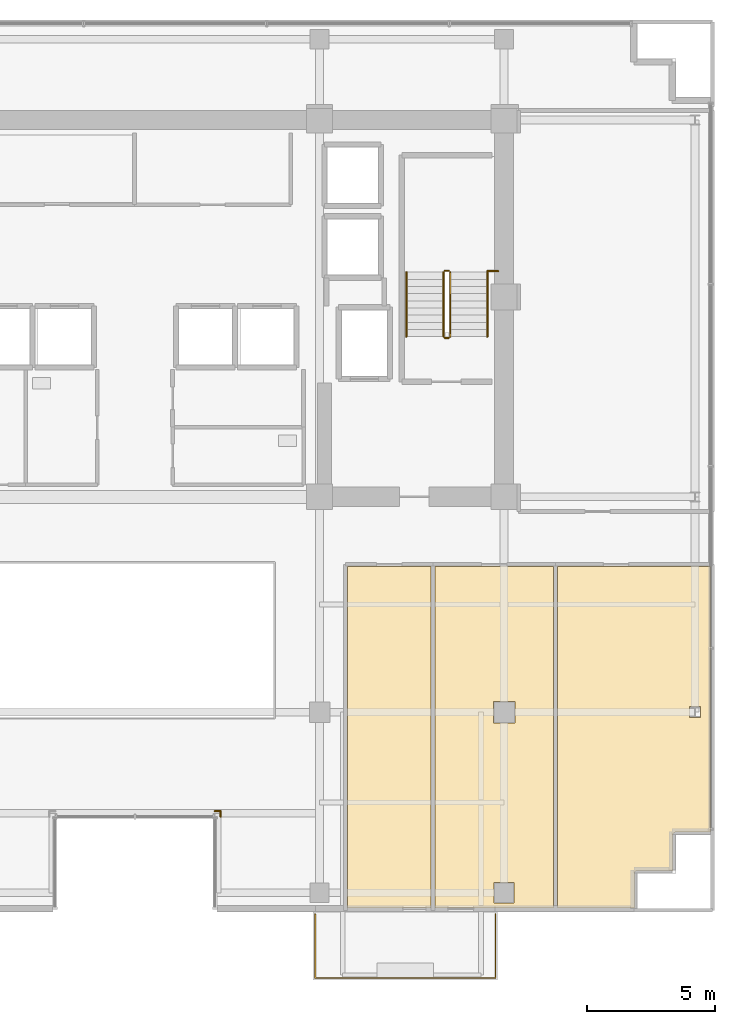
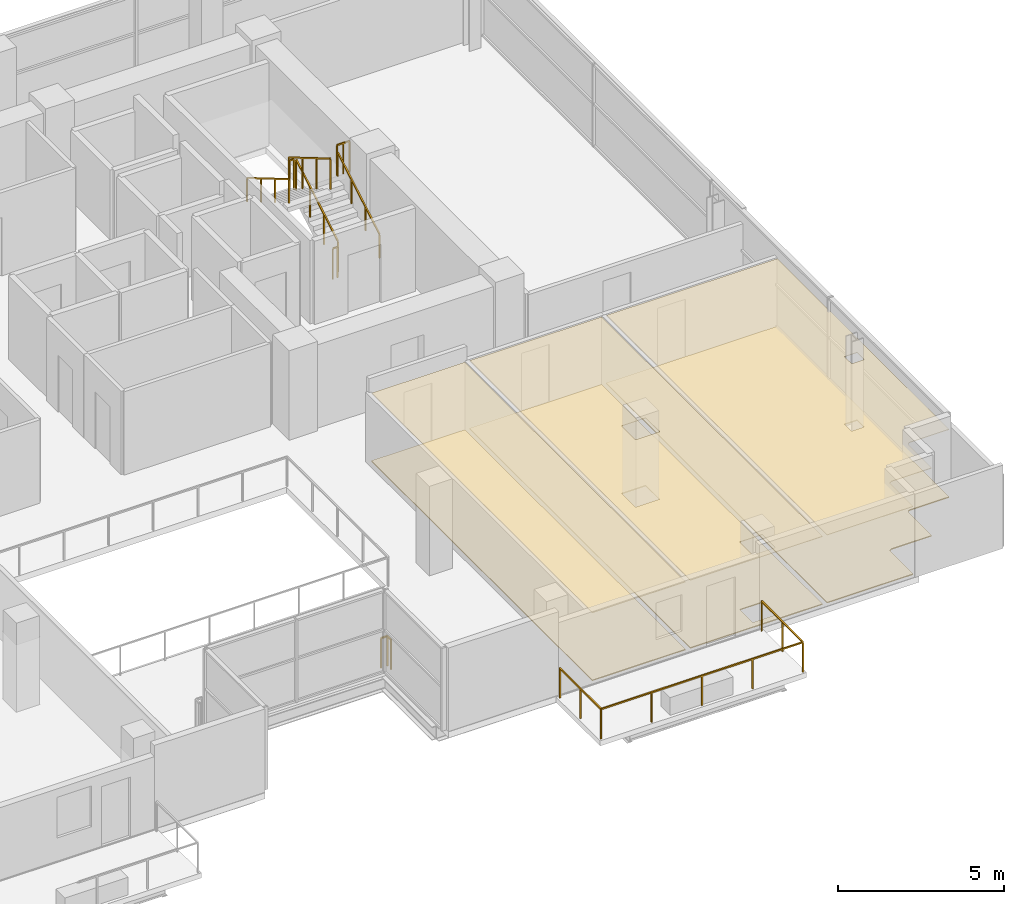
# One storey, part 20 of 21: 10 railings, 6 coverings.
"""IFC4 building model written with IfcOpenShell, lengths in metres."""

from ifc_helpers import new_model, si_unit, direction, frame, origin, origin_2d, place, context, subcontext, project, spatial, polyline, rectangle, outline, extrude, material, layer, layer_set, type_object, element, save


model = new_model("IFC4")

# Units and contexts
model_context = context("Model", 3, precision=1e-05, world=origin(), true_north=direction((0.0, 1.0)))
body_context = subcontext(model_context, "Body", "Model", "MODEL_VIEW")
ifc_project = project(units=[si_unit("LENGTHUNIT", "METRE"), si_unit("AREAUNIT", "SQUARE_METRE"), si_unit("VOLUMEUNIT", "CUBIC_METRE"), si_unit("PLANEANGLEUNIT", "RADIAN"), si_unit("MASSUNIT", "GRAM", prefix="KILO")], contexts=[model_context])

# Site, building, storey
site_placement = place(None, origin())
site = spatial("IfcSite", under=ifc_project, at=site_placement, CompositionType="ELEMENT")
building_placement = place(site_placement, origin())
building = spatial("IfcBuilding", under=site, at=building_placement, Name="Zarnakvel Exchange Tower", CompositionType="ELEMENT")
storey_placement = place(building_placement, frame((0.0, 0.0, 152.800048828125)))
storey = spatial("IfcBuildingStorey", under=building, at=storey_placement, Name="L42", CompositionType="ELEMENT", Elevation=152.800048828125)

# Coverings
ifc_material_1 = material(Name="Perforated Bronze Acoustic Metal Ceiling", Category="aluminium")
ifc_layer_1 = layer(ifc_material_1, 0.02001953125)
ifc_layer_set_1 = layer_set([ifc_layer_1], Name="Perforated Bronze Acoustic Metal Ceiling")
covering_type_1 = type_object("IfcCoveringType", Name="CLG-01", PredefinedType="CEILING", material=ifc_layer_set_1)
covering_1_placement = place(storey_placement, frame((0.0, 0.0, 2.5048828125)))
element("IfcCovering", 1, at=covering_1_placement, inside=storey, type_object=covering_type_1, Name="L42 Suspended Acoustic Ceiling (Meeting Room)", PredefinedType="CEILING", context=body_context, shape_type="SweptSolid", body=[
    extrude(outline(polyline([(8.294677734375, -3.909912109375), (11.550048828125, -3.909912109375), (11.550048828125, -17.25), (8.294677734375, -17.25), (8.294677734375, -3.909912109375)])), origin(), (0.0, 0.0, 1.0), 0.02001953125),
])
covering_2_placement = place(storey_placement, frame((0.0, 0.0, 2.5048828125)))
element("IfcCovering", 2, at=covering_2_placement, inside=storey, type_object=covering_type_1, Name="L42 Suspended Acoustic Ceiling (Breakout Pantry)", PredefinedType="CEILING", context=body_context, shape_type="SweptSolid", body=[
    extrude(outline(polyline([(11.7099609375, -3.909912109375), (16.32177734375, -3.909912109375), (16.32177734375, -17.25), (11.7099609375, -17.25), (11.7099609375, -3.909912109375)]), holes=[polyline([(14.820068359375, -10.02001953125), (14.820068359375, -9.179931640625), (13.97998046875, -9.179931640625), (13.97998046875, -10.02001953125), (14.820068359375, -10.02001953125)]), polyline([(14.794921875, -17.044921875), (14.794921875, -16.2548828125), (14.0048828125, -16.2548828125), (14.0048828125, -17.044921875), (14.794921875, -17.044921875)])]), origin(), (0.0, 0.0, 1.0), 0.02001953125),
])
covering_3_placement = place(storey_placement, frame((0.0, 0.0, 2.5048828125)))
element("IfcCovering", 3, at=covering_3_placement, inside=storey, type_object=covering_type_1, Name="L42 Suspended Acoustic Ceiling (Settlement Office)", PredefinedType="CEILING", context=body_context, shape_type="SweptSolid", body=[
    extrude(outline(polyline([(16.481689453125, -3.909912109375), (22.449951171875, -3.909912109375), (22.449951171875, -14.280029296875), (21.10009765625, -14.280029296875), (21.088134765625, -14.280517578125), (21.07666015625, -14.2822265625), (21.065185546875, -14.28515625), (21.05419921875, -14.2890625), (21.04345703125, -14.294189453125), (21.033447265625, -14.30029296875), (21.02392578125, -14.30712890625), (21.01513671875, -14.315185546875), (21.00732421875, -14.323974609375), (21.000244140625, -14.333251953125), (20.994140625, -14.343505859375), (20.989013671875, -14.35400390625), (20.985107421875, -14.365234375), (20.982421875, -14.376708984375), (20.98046875, -14.38818359375), (20.97998046875, -14.39990234375), (20.97998046875, -15.780029296875), (19.60009765625, -15.780029296875), (19.588134765625, -15.780517578125), (19.57666015625, -15.7822265625), (19.565185546875, -15.78515625), (19.55419921875, -15.7890625), (19.54345703125, -15.794189453125), (19.533447265625, -15.80029296875), (19.52392578125, -15.80712890625), (19.51513671875, -15.815185546875), (19.50732421875, -15.823974609375), (19.500244140625, -15.833251953125), (19.494140625, -15.843505859375), (19.489013671875, -15.85400390625), (19.485107421875, -15.865234375), (19.482421875, -15.876708984375), (19.48046875, -15.88818359375), (19.47998046875, -15.89990234375), (19.47998046875, -17.25), (16.481689453125, -17.25), (16.481689453125, -3.909912109375)]), holes=[polyline([(22.069580078125, -9.81689453125), (22.069580078125, -9.38330078125), (21.630615234375, -9.38330078125), (21.630615234375, -9.81689453125), (22.069580078125, -9.81689453125)])]), origin(), (0.0, 0.0, 1.0), 0.02001953125),
])
ifc_material_2 = material(Name="Heavy-Duty Raised Access Floor Panel", Category="steel")
ifc_layer_2 = layer(ifc_material_2, 0.034912109375)
ifc_layer_set_2 = layer_set([ifc_layer_2], Name="Heavy-Duty Raised Access Floor Panel")
covering_type_2 = type_object("IfcCoveringType", Name="FLR-02", PredefinedType="FLOORING", material=ifc_layer_set_2)
covering_4_placement = place(storey_placement, origin())
element("IfcCovering", 4, at=covering_4_placement, inside=storey, type_object=covering_type_2, Name="L42 Floor Finish (Meeting Room)", PredefinedType="FLOORING", context=body_context, shape_type="SweptSolid", body=[
    extrude(outline(polyline([(8.294677734375, -3.909912109375), (11.550048828125, -3.909912109375), (11.550048828125, -17.25), (8.294677734375, -17.25), (8.294677734375, -3.909912109375)])), origin(), (0.0, 0.0, 1.0), 0.034912109375),
])
covering_5_placement = place(storey_placement, origin())
element("IfcCovering", 5, at=covering_5_placement, inside=storey, type_object=covering_type_2, Name="L42 Floor Finish (Breakout Pantry)", PredefinedType="FLOORING", context=body_context, shape_type="SweptSolid", body=[
    extrude(outline(polyline([(11.7099609375, -3.909912109375), (16.32177734375, -3.909912109375), (16.32177734375, -17.25), (11.7099609375, -17.25), (11.7099609375, -3.909912109375)]), holes=[polyline([(14.820068359375, -10.02001953125), (14.820068359375, -9.179931640625), (13.97998046875, -9.179931640625), (13.97998046875, -10.02001953125), (14.820068359375, -10.02001953125)]), polyline([(14.794921875, -17.044921875), (14.794921875, -16.2548828125), (14.0048828125, -16.2548828125), (14.0048828125, -17.044921875), (14.794921875, -17.044921875)])]), origin(), (0.0, 0.0, 1.0), 0.034912109375),
])
covering_6_placement = place(storey_placement, origin())
element("IfcCovering", 6, at=covering_6_placement, inside=storey, type_object=covering_type_2, Name="L42 Floor Finish (Settlement Office)", PredefinedType="FLOORING", context=body_context, shape_type="SweptSolid", body=[
    extrude(outline(polyline([(16.481689453125, -3.909912109375), (22.449951171875, -3.909912109375), (22.449951171875, -14.280029296875), (21.10009765625, -14.280029296875), (21.088134765625, -14.280517578125), (21.07666015625, -14.2822265625), (21.065185546875, -14.28515625), (21.05419921875, -14.2890625), (21.04345703125, -14.294189453125), (21.033447265625, -14.30029296875), (21.02392578125, -14.30712890625), (21.01513671875, -14.315185546875), (21.00732421875, -14.323974609375), (21.000244140625, -14.333251953125), (20.994140625, -14.343505859375), (20.989013671875, -14.35400390625), (20.985107421875, -14.365234375), (20.982421875, -14.376708984375), (20.98046875, -14.38818359375), (20.97998046875, -14.39990234375), (20.97998046875, -15.780029296875), (19.60009765625, -15.780029296875), (19.588134765625, -15.780517578125), (19.57666015625, -15.7822265625), (19.565185546875, -15.78515625), (19.55419921875, -15.7890625), (19.54345703125, -15.794189453125), (19.533447265625, -15.80029296875), (19.52392578125, -15.80712890625), (19.51513671875, -15.815185546875), (19.50732421875, -15.823974609375), (19.500244140625, -15.833251953125), (19.494140625, -15.843505859375), (19.489013671875, -15.85400390625), (19.485107421875, -15.865234375), (19.482421875, -15.876708984375), (19.48046875, -15.88818359375), (19.47998046875, -15.89990234375), (19.47998046875, -17.25), (16.481689453125, -17.25), (16.481689453125, -3.909912109375)]), holes=[polyline([(22.069580078125, -9.81689453125), (22.069580078125, -9.38330078125), (21.630615234375, -9.38330078125), (21.630615234375, -9.81689453125), (22.069580078125, -9.81689453125)])]), origin(), (0.0, 0.0, 1.0), 0.034912109375),
])

# Railings
ifc_material_3 = material(Name="Architectural Bronze Anodised Aluminium", Category="aluminium")
railing_type_1 = type_object("IfcRailingType", Name="GR-02", PredefinedType="GUARDRAIL", material=ifc_material_3)
railing_1_placement = place(storey_placement, frame((7.030029296875, -17.47998046875, -0.03515625)))
element("IfcRailing", 7, at=railing_1_placement, inside=storey, type_object=railing_type_1, Name="L42 Balcony Guardrail BAL-L42-SE", PredefinedType="GUARDRAIL", context=body_context, shape_type="SweptSolid", body=[
    extrude(rectangle(XDim=0.048095703125, YDim=0.048095703125, at=origin_2d()), frame((0.0, 0.0, 1.09619140625), z_axis=(0.0, -1.0, 0.0), x_axis=(1.0, 0.0, 0.0)), (0.0, 0.0, 1.0), 2.489990234375),
    extrude(rectangle(XDim=0.048095703125, YDim=0.048095703125, at=origin_2d()), frame((0.0, -2.489990234375, 1.09619140625), z_axis=(1.0, 0.0, 0.0), x_axis=(0.0, 1.0, 0.0)), (0.0, 0.0, 1.0), 7.0400390625),
    extrude(rectangle(XDim=0.048095703125, YDim=0.048095703125, at=origin_2d()), frame((7.0400390625, -2.489990234375, 1.09619140625), z_axis=(0.0, 1.0, 0.0), x_axis=(-1.0, 0.0, 0.0)), (0.0, 0.0, 1.0), 2.489990234375),
    extrude(rectangle(XDim=0.0419921875, YDim=0.0419921875, at=origin_2d()), origin(), (0.0, 0.0, 1.0), 1.072021484375),
    extrude(rectangle(XDim=0.0419921875, YDim=0.0419921875, at=origin_2d()), frame((0.0, -1.2451171875, 0.0)), (0.0, 0.0, 1.0), 1.072021484375),
    extrude(rectangle(XDim=0.0419921875, YDim=0.0419921875, at=origin_2d()), frame((0.0, -2.489990234375, 0.0)), (0.0, 0.0, 1.0), 1.072021484375),
    extrude(rectangle(XDim=0.0419921875, YDim=0.0419921875, at=origin_2d()), frame((1.760009765625, -2.489990234375, 0.0)), (0.0, 0.0, 1.0), 1.072021484375),
    extrude(rectangle(XDim=0.0419921875, YDim=0.0419921875, at=origin_2d()), frame((3.52001953125, -2.489990234375, 0.0)), (0.0, 0.0, 1.0), 1.072021484375),
    extrude(rectangle(XDim=0.0419921875, YDim=0.0419921875, at=origin_2d()), frame((5.280029296875, -2.489990234375, 0.0)), (0.0, 0.0, 1.0), 1.072021484375),
    extrude(rectangle(XDim=0.0419921875, YDim=0.0419921875, at=origin_2d()), frame((7.0400390625, -2.489990234375, 0.0)), (0.0, 0.0, 1.0), 1.072021484375),
    extrude(rectangle(XDim=0.0419921875, YDim=0.0419921875, at=origin_2d()), frame((7.0400390625, -1.2451171875, 0.0)), (0.0, 0.0, 1.0), 1.072021484375),
    extrude(rectangle(XDim=0.0419921875, YDim=0.0419921875, at=origin_2d()), frame((7.0400390625, 0.0, 0.0)), (0.0, 0.0, 1.0), 1.072021484375),
])
railing_2_placement = place(storey_placement, frame((3.340087890625, -13.679931640625, 0.0)))
element("IfcRailing", 8, at=railing_2_placement, inside=storey, type_object=railing_type_1, Name="L42 Corner Spandrel Balustrade #17", PredefinedType="GUARDRAIL", context=body_context, shape_type="SweptSolid", body=[
    extrude(rectangle(XDim=0.048095703125, YDim=0.048095703125, at=origin_2d()), frame((0.0, 0.0, 1.09619140625), z_axis=(0.0, 1.0, 0.0), x_axis=(-1.0, 0.0, 0.0)), (0.0, 0.0, 1.0), 0.219970703125),
    extrude(rectangle(XDim=0.0419921875, YDim=0.0419921875, at=origin_2d()), origin(), (0.0, 0.0, 1.0), 1.072021484375),
    extrude(rectangle(XDim=0.0419921875, YDim=0.0419921875, at=origin_2d()), frame((0.0, 0.219970703125, 0.0)), (0.0, 0.0, 1.0), 1.072021484375),
])
railing_3_placement = place(storey_placement, frame((3.340087890625, -13.4599609375, 0.0)))
element("IfcRailing", 9, at=railing_3_placement, inside=storey, type_object=railing_type_1, Name="L42 Corner Spandrel Balustrade #18", PredefinedType="GUARDRAIL", context=body_context, shape_type="SweptSolid", body=[
    extrude(rectangle(XDim=0.048095703125, YDim=0.048095703125, at=origin_2d()), frame((0.0, 0.0, 1.09619140625), z_axis=(-1.0, 0.0, 0.0), x_axis=(0.0, -1.0, 0.0)), (0.0, 0.0, 1.0), 0.219970703125),
    extrude(rectangle(XDim=0.0419921875, YDim=0.0419921875, at=origin_2d()), origin(), (0.0, 0.0, 1.0), 1.072021484375),
    extrude(rectangle(XDim=0.0419921875, YDim=0.0419921875, at=origin_2d()), frame((-0.219970703125, 0.0, 0.0)), (0.0, 0.0, 1.0), 1.072021484375),
])
ifc_material_4 = material(Name="Brushed Stainless Steel", Category="steel")
railing_type_2 = type_object("IfcRailingType", Name="HR-01", PredefinedType="HANDRAIL", material=ifc_material_4)
railing_4_placement = place(storey_placement, frame((13.75, 5.050048828125, 0.1650390625)))
element("IfcRailing", 10, at=railing_4_placement, inside=storey, type_object=railing_type_2, Name="L42 ST-02 stair handrail 1", PredefinedType="HANDRAIL", context=body_context, shape_type="SweptSolid", body=[
    extrude(rectangle(XDim=0.048095703125, YDim=0.048095703125, at=origin_2d()), frame((0.0, 0.0, 0.8759765625), z_axis=(0.0, 0.861560626758, 0.507654692109), x_axis=(-1.0, 0.0, 0.0)), (0.0, 0.0, 1.0), 2.925048828125),
    extrude(rectangle(XDim=0.0419921875, YDim=0.0419921875, at=origin_2d()), origin(), (0.0, 0.0, 1.0), 0.851806640625),
    extrude(rectangle(XDim=0.0419921875, YDim=0.0419921875, at=origin_2d()), frame((0.0, 0.840087890625, 0.494873046875)), (0.0, 0.0, 1.0), 0.851806640625),
    extrude(rectangle(XDim=0.0419921875, YDim=0.0419921875, at=origin_2d()), frame((0.0, 1.679931640625, 0.989990234375)), (0.0, 0.0, 1.0), 0.851806640625),
    extrude(rectangle(XDim=0.0419921875, YDim=0.0419921875, at=origin_2d()), frame((0.0, 2.52001953125, 1.48486328125)), (0.0, 0.0, 1.0), 0.851806640625),
])
railing_5_placement = place(storey_placement, frame((10.590087890625, 7.570068359375, 1.81494140625)))
element("IfcRailing", 11, at=railing_5_placement, inside=storey, type_object=railing_type_2, Name="L42 ST-02 stair handrail 2", PredefinedType="HANDRAIL", context=body_context, shape_type="SweptSolid", body=[
    extrude(rectangle(XDim=0.048095703125, YDim=0.048095703125, at=origin_2d()), frame((0.0, 0.0, 0.8759765625), z_axis=(0.0, -0.86152411907, 0.507716645641), x_axis=(1.0, 0.0, 0.0)), (0.0, 0.0, 1.0), 2.925048828125),
    extrude(rectangle(XDim=0.0419921875, YDim=0.0419921875, at=origin_2d()), origin(), (0.0, 0.0, 1.0), 0.851806640625),
    extrude(rectangle(XDim=0.0419921875, YDim=0.0419921875, at=origin_2d()), frame((0.0, -0.840087890625, 0.4951171875)), (0.0, 0.0, 1.0), 0.851806640625),
    extrude(rectangle(XDim=0.0419921875, YDim=0.0419921875, at=origin_2d()), frame((0.0, -1.679931640625, 0.989990234375)), (0.0, 0.0, 1.0), 0.851806640625),
    extrude(rectangle(XDim=0.0419921875, YDim=0.0419921875, at=origin_2d()), frame((0.0, -2.52001953125, 1.485107421875)), (0.0, 0.0, 1.0), 0.851806640625),
])
railing_type_3 = type_object("IfcRailingType", Name="SG-01", PredefinedType="GUARDRAIL", material=ifc_material_3)
railing_6_placement = place(storey_placement, frame((12.300048828125, 5.050048828125, 0.1650390625)))
element("IfcRailing", 12, at=railing_6_placement, inside=storey, type_object=railing_type_3, Name="L42 ST-02 stair guard 1", PredefinedType="GUARDRAIL", context=body_context, shape_type="SweptSolid", body=[
    extrude(rectangle(XDim=0.048095703125, YDim=0.048095703125, at=origin_2d()), frame((0.0, 0.0, 1.1259765625), z_axis=(0.0, 0.861560626758, 0.507654692109), x_axis=(-1.0, 0.0, 0.0)), (0.0, 0.0, 1.0), 2.925048828125),
    extrude(rectangle(XDim=0.0419921875, YDim=0.0419921875, at=origin_2d()), origin(), (0.0, 0.0, 1.0), 1.101806640625),
    extrude(rectangle(XDim=0.0419921875, YDim=0.0419921875, at=origin_2d()), frame((0.0, 0.840087890625, 0.494873046875)), (0.0, 0.0, 1.0), 1.101806640625),
    extrude(rectangle(XDim=0.0419921875, YDim=0.0419921875, at=origin_2d()), frame((0.0, 1.679931640625, 0.989990234375)), (0.0, 0.0, 1.0), 1.101806640625),
    extrude(rectangle(XDim=0.0419921875, YDim=0.0419921875, at=origin_2d()), frame((0.0, 2.52001953125, 1.48486328125)), (0.0, 0.0, 1.0), 1.101806640625),
])
railing_7_placement = place(storey_placement, frame((12.25, 7.6201171875, 1.64990234375)))
element("IfcRailing", 13, at=railing_7_placement, inside=storey, type_object=railing_type_3, Name="L42 ST-02 stair guard 2", PredefinedType="GUARDRAIL", context=body_context, shape_type="SweptSolid", body=[
    extrude(rectangle(XDim=0.048095703125, YDim=0.048095703125, at=origin_2d()), frame((0.0, 0.0, 1.1259765625), z_axis=(-1.0, 0.0, 0.0), x_axis=(0.0, -1.0, 0.0)), (0.0, 0.0, 1.0), 0.159912109375),
    extrude(rectangle(XDim=0.0419921875, YDim=0.0419921875, at=origin_2d()), origin(), (0.0, 0.0, 1.0), 1.101806640625),
    extrude(rectangle(XDim=0.0419921875, YDim=0.0419921875, at=origin_2d()), frame((-0.159912109375, 0.0, 0.0)), (0.0, 0.0, 1.0), 1.101806640625),
])
railing_8_placement = place(storey_placement, frame((12.0400390625, 7.570068359375, 1.81494140625)))
element("IfcRailing", 14, at=railing_8_placement, inside=storey, type_object=railing_type_3, Name="L42 ST-02 stair guard 3", PredefinedType="GUARDRAIL", context=body_context, shape_type="SweptSolid", body=[
    extrude(rectangle(XDim=0.048095703125, YDim=0.048095703125, at=origin_2d()), frame((0.0, 0.0, 1.1259765625), z_axis=(0.0, -0.86152411907, 0.507716645641), x_axis=(1.0, 0.0, 0.0)), (0.0, 0.0, 1.0), 2.925048828125),
    extrude(rectangle(XDim=0.0419921875, YDim=0.0419921875, at=origin_2d()), origin(), (0.0, 0.0, 1.0), 1.101806640625),
    extrude(rectangle(XDim=0.0419921875, YDim=0.0419921875, at=origin_2d()), frame((0.0, -0.840087890625, 0.4951171875)), (0.0, 0.0, 1.0), 1.101806640625),
    extrude(rectangle(XDim=0.0419921875, YDim=0.0419921875, at=origin_2d()), frame((0.0, -1.679931640625, 0.989990234375)), (0.0, 0.0, 1.0), 1.101806640625),
    extrude(rectangle(XDim=0.0419921875, YDim=0.0419921875, at=origin_2d()), frame((0.0, -2.52001953125, 1.485107421875)), (0.0, 0.0, 1.0), 1.101806640625),
])
railing_9_placement = place(storey_placement, frame((12.25, 5.0, 0.0)))
element("IfcRailing", 15, at=railing_9_placement, inside=storey, type_object=railing_type_3, Name="L42 ST-02 stair guard 4", PredefinedType="GUARDRAIL", context=body_context, shape_type="SweptSolid", body=[
    extrude(rectangle(XDim=0.048095703125, YDim=0.048095703125, at=origin_2d()), frame((0.0, 0.0, 1.1259765625), z_axis=(-1.0, 0.0, 0.0), x_axis=(0.0, -1.0, 0.0)), (0.0, 0.0, 1.0), 0.159912109375),
    extrude(rectangle(XDim=0.0419921875, YDim=0.0419921875, at=origin_2d()), origin(), (0.0, 0.0, 1.0), 1.101806640625),
    extrude(rectangle(XDim=0.0419921875, YDim=0.0419921875, at=origin_2d()), frame((-0.159912109375, 0.0, 0.0)), (0.0, 0.0, 1.0), 1.101806640625),
])
railing_10_placement = place(storey_placement, frame((13.75, 7.610107421875, 1.64990234375)))
element("IfcRailing", 16, at=railing_10_placement, inside=storey, type_object=railing_type_3, Name="L42 ST-02 Landing Slot Guardrail", PredefinedType="GUARDRAIL", context=body_context, shape_type="SweptSolid", body=[
    extrude(rectangle(XDim=0.048095703125, YDim=0.048095703125, at=origin_2d()), frame((0.0, 0.0, 1.1259765625), z_axis=(1.0, 0.0, 0.0), x_axis=(0.0, 1.0, 0.0)), (0.0, 0.0, 1.0), 0.429931640625),
    extrude(rectangle(XDim=0.0419921875, YDim=0.0419921875, at=origin_2d()), origin(), (0.0, 0.0, 1.0), 1.101806640625),
    extrude(rectangle(XDim=0.0419921875, YDim=0.0419921875, at=origin_2d()), frame((0.21484375, 0.0, 0.0)), (0.0, 0.0, 1.0), 1.101806640625),
    extrude(rectangle(XDim=0.0419921875, YDim=0.0419921875, at=origin_2d()), frame((0.429931640625, 0.0, 0.0)), (0.0, 0.0, 1.0), 1.101806640625),
])

save(model, "model.ifc")
